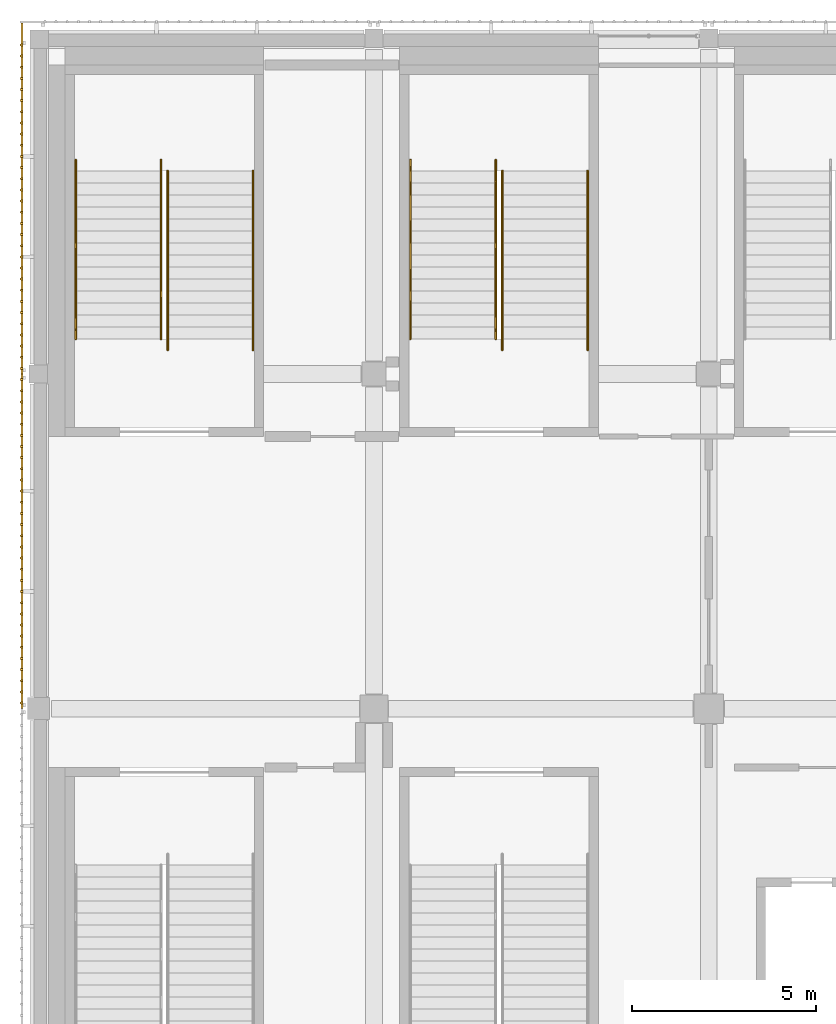
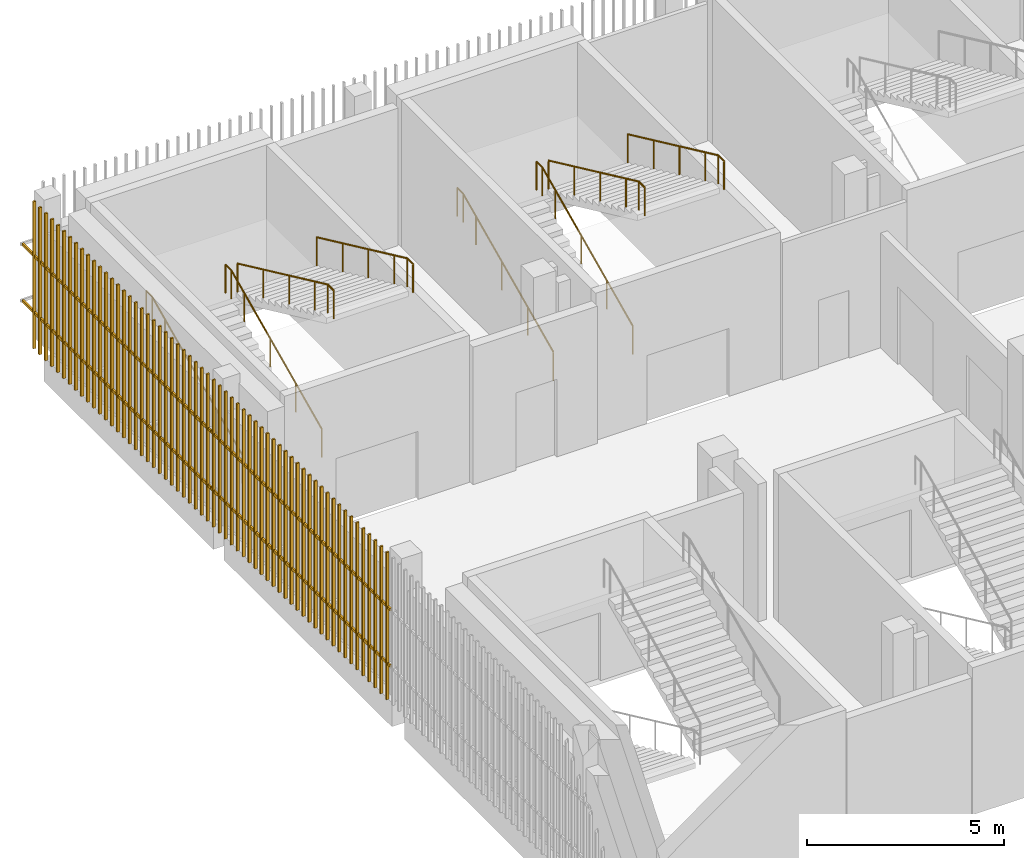
# One storey, part 94 of 104: 8 railings, 2 shading devices.
"""IFC4 building model written with IfcOpenShell, lengths in metres."""

from ifc_helpers import new_model, si_unit, direction, frame, origin, origin_2d, place, context, subcontext, project, spatial, rectangle, circle, extrude, material, type_object, element, save


model = new_model("IFC4")

# Units and contexts
model_context = context("Model", 3, precision=1e-05, world=origin(), true_north=direction((0.0, 1.0)))
body_context = subcontext(model_context, "Body", "Model", "MODEL_VIEW")
ifc_project = project(units=[si_unit("LENGTHUNIT", "METRE"), si_unit("AREAUNIT", "SQUARE_METRE"), si_unit("VOLUMEUNIT", "CUBIC_METRE"), si_unit("PLANEANGLEUNIT", "RADIAN"), si_unit("MASSUNIT", "GRAM", prefix="KILO")], contexts=[model_context])

# Site, building, storey
site_placement = place(None, origin())
site = spatial("IfcSite", under=ifc_project, at=site_placement, CompositionType="ELEMENT")
building_placement = place(site_placement, origin())
building = spatial("IfcBuilding", under=site, at=building_placement, Name="Shirokan Park Arena", CompositionType="ELEMENT")
storey_placement = place(building_placement, frame((0.0, 0.0, 10.919921875)))
storey = spatial("IfcBuildingStorey", under=building, at=storey_placement, Name="L02", CompositionType="ELEMENT", Elevation=10.919921875)

# Railings
ifc_material_1 = material(Name="Stainless steel", Category="steel")
railing_type = type_object("IfcRailingType", Name="Stair handrail 900", PredefinedType="HANDRAIL", material=ifc_material_1)
railing_1_placement = place(storey_placement, frame((0.989990234375, 101.050048828125, 0.15185546875)))
element("IfcRailing", 1, at=railing_1_placement, inside=storey, type_object=railing_type, Name="Handrail Exit Stair 4.A L02 to L03", PredefinedType="HANDRAIL", context=body_context, shape_type="SweptSolid", body=[
    extrude(circle(Radius=0.02392578125, at=origin_2d()), frame((0.0, 0.0, 0.8759765625), z_axis=(0.0, 0.907064445915, 0.420991794405), x_axis=(-1.0, 0.0, 0.0)), (0.0, 0.0, 1.0), 1.4404296875),
    extrude(circle(Radius=0.02392578125, at=origin_2d()), frame((0.0, 1.306640625, 1.482421875), z_axis=(0.0, 0.907029769225, 0.421066500378), x_axis=(-1.0, 0.0, 0.0)), (0.0, 0.0, 1.0), 1.44091796875),
    extrude(circle(Radius=0.02392578125, at=origin_2d()), frame((0.0, 2.613525390625, 2.0888671875), z_axis=(0.0, 0.907029769225, 0.421066500378), x_axis=(-1.0, 0.0, 0.0)), (0.0, 0.0, 1.0), 1.44091796875),
    extrude(circle(Radius=0.02392578125, at=origin_2d()), frame((0.0, 3.92041015625, 2.69580078125), z_axis=(0.0, 0.906934982928, 0.421270621741), x_axis=(-1.0, 0.0, 0.0)), (0.0, 0.0, 1.0), 0.720458984375),
    extrude(circle(Radius=0.02392578125, at=origin_2d()), frame((0.0, 4.57373046875, 2.9990234375), z_axis=(0.0, 1.0, 0.0), x_axis=(-1.0, 0.0, 0.0)), (0.0, 0.0, 1.0), 0.300048828125),
    extrude(circle(Radius=0.02099609375, at=origin_2d()), origin(), (0.0, 0.0, 1.0), 0.851806640625),
    extrude(circle(Radius=0.02099609375, at=origin_2d()), frame((0.0, 1.306640625, 0.6064453125)), (0.0, 0.0, 1.0), 0.851806640625),
    extrude(circle(Radius=0.02099609375, at=origin_2d()), frame((0.0, 2.613525390625, 1.213134765625)), (0.0, 0.0, 1.0), 0.851806640625),
    extrude(circle(Radius=0.02099609375, at=origin_2d()), frame((0.0, 3.92041015625, 1.81982421875)), (0.0, 0.0, 1.0), 0.851806640625),
    extrude(circle(Radius=0.02099609375, at=origin_2d()), frame((0.0, 4.57373046875, 2.123291015625)), (0.0, 0.0, 1.0), 0.851806640625),
    extrude(circle(Radius=0.02099609375, at=origin_2d()), frame((0.0, 4.873779296875, 2.123291015625)), (0.0, 0.0, 1.0), 0.851806640625),
])
railing_2_placement = place(storey_placement, frame((3.31005859375, 101.050048828125, 0.15185546875)))
element("IfcRailing", 2, at=railing_2_placement, inside=storey, type_object=railing_type, Name="Handrail Exit Stair 4.A L02 to L03", PredefinedType="HANDRAIL", context=body_context, shape_type="SweptSolid", body=[
    extrude(circle(Radius=0.02392578125, at=origin_2d()), frame((0.0, 0.0, 0.8759765625), z_axis=(0.0, 0.907064445915, 0.420991794405), x_axis=(-1.0, 0.0, 0.0)), (0.0, 0.0, 1.0), 1.4404296875),
    extrude(circle(Radius=0.02392578125, at=origin_2d()), frame((0.0, 1.306640625, 1.482421875), z_axis=(0.0, 0.907029769225, 0.421066500378), x_axis=(-1.0, 0.0, 0.0)), (0.0, 0.0, 1.0), 1.44091796875),
    extrude(circle(Radius=0.02392578125, at=origin_2d()), frame((0.0, 2.613525390625, 2.0888671875), z_axis=(0.0, 0.907029769225, 0.421066500378), x_axis=(-1.0, 0.0, 0.0)), (0.0, 0.0, 1.0), 1.44091796875),
    extrude(circle(Radius=0.02392578125, at=origin_2d()), frame((0.0, 3.92041015625, 2.69580078125), z_axis=(0.0, 0.906934982928, 0.421270621741), x_axis=(-1.0, 0.0, 0.0)), (0.0, 0.0, 1.0), 0.720458984375),
    extrude(circle(Radius=0.02392578125, at=origin_2d()), frame((0.0, 4.57373046875, 2.9990234375), z_axis=(0.0, 1.0, 0.0), x_axis=(-1.0, 0.0, 0.0)), (0.0, 0.0, 1.0), 0.300048828125),
    extrude(circle(Radius=0.02099609375, at=origin_2d()), origin(), (0.0, 0.0, 1.0), 0.851806640625),
    extrude(circle(Radius=0.02099609375, at=origin_2d()), frame((0.0, 1.306640625, 0.6064453125)), (0.0, 0.0, 1.0), 0.851806640625),
    extrude(circle(Radius=0.02099609375, at=origin_2d()), frame((0.0, 2.613525390625, 1.213134765625)), (0.0, 0.0, 1.0), 0.851806640625),
    extrude(circle(Radius=0.02099609375, at=origin_2d()), frame((0.0, 3.92041015625, 1.81982421875)), (0.0, 0.0, 1.0), 0.851806640625),
    extrude(circle(Radius=0.02099609375, at=origin_2d()), frame((0.0, 4.57373046875, 2.123291015625)), (0.0, 0.0, 1.0), 0.851806640625),
    extrude(circle(Radius=0.02099609375, at=origin_2d()), frame((0.0, 4.873779296875, 2.123291015625)), (0.0, 0.0, 1.0), 0.851806640625),
])
railing_3_placement = place(storey_placement, frame((3.489990234375, 105.623779296875, 2.4267578125)))
element("IfcRailing", 3, at=railing_3_placement, inside=storey, type_object=railing_type, Name="Handrail Exit Stair 4.A L02 to L03", PredefinedType="HANDRAIL", context=body_context, shape_type="SweptSolid", body=[
    extrude(circle(Radius=0.02392578125, at=origin_2d()), frame((0.0, 0.0, 0.8759765625), z_axis=(0.0, -0.907029769225, 0.421066500378), x_axis=(1.0, 0.0, 0.0)), (0.0, 0.0, 1.0), 1.44091796875),
    extrude(circle(Radius=0.02392578125, at=origin_2d()), frame((0.0, -1.306884765625, 1.482421875), z_axis=(0.0, -0.906999720516, 0.421131222998), x_axis=(1.0, 0.0, 0.0)), (0.0, 0.0, 1.0), 1.440673828125),
    extrude(circle(Radius=0.02392578125, at=origin_2d()), frame((0.0, -2.613525390625, 2.08935546875), z_axis=(0.0, -0.907029769225, 0.421066500378), x_axis=(1.0, 0.0, 0.0)), (0.0, 0.0, 1.0), 1.44091796875),
    extrude(circle(Radius=0.02392578125, at=origin_2d()), frame((0.0, -3.92041015625, 2.69580078125), z_axis=(0.0, -0.907064445915, 0.420991794405), x_axis=(1.0, 0.0, 0.0)), (0.0, 0.0, 1.0), 0.72021484375),
    extrude(circle(Radius=0.02392578125, at=origin_2d()), frame((0.0, -4.57373046875, 2.9990234375), z_axis=(0.0, -1.0, 0.0), x_axis=(1.0, 0.0, 0.0)), (0.0, 0.0, 1.0), 0.300048828125),
    extrude(circle(Radius=0.02099609375, at=origin_2d()), origin(), (0.0, 0.0, 1.0), 0.851806640625),
    extrude(circle(Radius=0.02099609375, at=origin_2d()), frame((0.0, -1.306884765625, 0.606689453125)), (0.0, 0.0, 1.0), 0.851806640625),
    extrude(circle(Radius=0.02099609375, at=origin_2d()), frame((0.0, -2.613525390625, 1.21337890625)), (0.0, 0.0, 1.0), 0.851806640625),
    extrude(circle(Radius=0.02099609375, at=origin_2d()), frame((0.0, -3.92041015625, 1.820068359375)), (0.0, 0.0, 1.0), 0.851806640625),
    extrude(circle(Radius=0.02099609375, at=origin_2d()), frame((0.0, -4.57373046875, 2.123291015625)), (0.0, 0.0, 1.0), 0.851806640625),
    extrude(circle(Radius=0.02099609375, at=origin_2d()), frame((0.0, -4.873779296875, 2.123291015625)), (0.0, 0.0, 1.0), 0.851806640625),
])
railing_4_placement = place(storey_placement, frame((5.81005859375, 105.623779296875, 2.4267578125)))
element("IfcRailing", 4, at=railing_4_placement, inside=storey, type_object=railing_type, Name="Handrail Exit Stair 4.A L02 to L03", PredefinedType="HANDRAIL", context=body_context, shape_type="SweptSolid", body=[
    extrude(circle(Radius=0.02392578125, at=origin_2d()), frame((0.0, 0.0, 0.8759765625), z_axis=(0.0, -0.907029769225, 0.421066500378), x_axis=(1.0, 0.0, 0.0)), (0.0, 0.0, 1.0), 1.44091796875),
    extrude(circle(Radius=0.02392578125, at=origin_2d()), frame((0.0, -1.306884765625, 1.482421875), z_axis=(0.0, -0.906999720516, 0.421131222998), x_axis=(1.0, 0.0, 0.0)), (0.0, 0.0, 1.0), 1.440673828125),
    extrude(circle(Radius=0.02392578125, at=origin_2d()), frame((0.0, -2.613525390625, 2.08935546875), z_axis=(0.0, -0.907029769225, 0.421066500378), x_axis=(1.0, 0.0, 0.0)), (0.0, 0.0, 1.0), 1.44091796875),
    extrude(circle(Radius=0.02392578125, at=origin_2d()), frame((0.0, -3.92041015625, 2.69580078125), z_axis=(0.0, -0.907064445915, 0.420991794405), x_axis=(1.0, 0.0, 0.0)), (0.0, 0.0, 1.0), 0.72021484375),
    extrude(circle(Radius=0.02392578125, at=origin_2d()), frame((0.0, -4.57373046875, 2.9990234375), z_axis=(0.0, -1.0, 0.0), x_axis=(1.0, 0.0, 0.0)), (0.0, 0.0, 1.0), 0.300048828125),
    extrude(circle(Radius=0.02099609375, at=origin_2d()), origin(), (0.0, 0.0, 1.0), 0.851806640625),
    extrude(circle(Radius=0.02099609375, at=origin_2d()), frame((0.0, -1.306884765625, 0.606689453125)), (0.0, 0.0, 1.0), 0.851806640625),
    extrude(circle(Radius=0.02099609375, at=origin_2d()), frame((0.0, -2.613525390625, 1.21337890625)), (0.0, 0.0, 1.0), 0.851806640625),
    extrude(circle(Radius=0.02099609375, at=origin_2d()), frame((0.0, -3.92041015625, 1.820068359375)), (0.0, 0.0, 1.0), 0.851806640625),
    extrude(circle(Radius=0.02099609375, at=origin_2d()), frame((0.0, -4.57373046875, 2.123291015625)), (0.0, 0.0, 1.0), 0.851806640625),
    extrude(circle(Radius=0.02099609375, at=origin_2d()), frame((0.0, -4.873779296875, 2.123291015625)), (0.0, 0.0, 1.0), 0.851806640625),
])
railing_5_placement = place(storey_placement, frame((10.090087890625, 101.050048828125, 0.15185546875)))
element("IfcRailing", 5, at=railing_5_placement, inside=storey, type_object=railing_type, Name="Handrail Exit Stair 4.B L02 to L03", PredefinedType="HANDRAIL", context=body_context, shape_type="SweptSolid", body=[
    extrude(circle(Radius=0.02392578125, at=origin_2d()), frame((0.0, 0.0, 0.8759765625), z_axis=(0.0, 0.907064445915, 0.420991794405), x_axis=(-1.0, 0.0, 0.0)), (0.0, 0.0, 1.0), 1.4404296875),
    extrude(circle(Radius=0.02392578125, at=origin_2d()), frame((0.0, 1.306640625, 1.482421875), z_axis=(0.0, 0.907029769225, 0.421066500378), x_axis=(-1.0, 0.0, 0.0)), (0.0, 0.0, 1.0), 1.44091796875),
    extrude(circle(Radius=0.02392578125, at=origin_2d()), frame((0.0, 2.613525390625, 2.0888671875), z_axis=(0.0, 0.907029769225, 0.421066500378), x_axis=(-1.0, 0.0, 0.0)), (0.0, 0.0, 1.0), 1.44091796875),
    extrude(circle(Radius=0.02392578125, at=origin_2d()), frame((0.0, 3.92041015625, 2.69580078125), z_axis=(0.0, 0.906934982928, 0.421270621741), x_axis=(-1.0, 0.0, 0.0)), (0.0, 0.0, 1.0), 0.720458984375),
    extrude(circle(Radius=0.02392578125, at=origin_2d()), frame((0.0, 4.57373046875, 2.9990234375), z_axis=(0.0, 1.0, 0.0), x_axis=(-1.0, 0.0, 0.0)), (0.0, 0.0, 1.0), 0.300048828125),
    extrude(circle(Radius=0.02099609375, at=origin_2d()), origin(), (0.0, 0.0, 1.0), 0.851806640625),
    extrude(circle(Radius=0.02099609375, at=origin_2d()), frame((0.0, 1.306640625, 0.6064453125)), (0.0, 0.0, 1.0), 0.851806640625),
    extrude(circle(Radius=0.02099609375, at=origin_2d()), frame((0.0, 2.613525390625, 1.213134765625)), (0.0, 0.0, 1.0), 0.851806640625),
    extrude(circle(Radius=0.02099609375, at=origin_2d()), frame((0.0, 3.92041015625, 1.81982421875)), (0.0, 0.0, 1.0), 0.851806640625),
    extrude(circle(Radius=0.02099609375, at=origin_2d()), frame((0.0, 4.57373046875, 2.123291015625)), (0.0, 0.0, 1.0), 0.851806640625),
    extrude(circle(Radius=0.02099609375, at=origin_2d()), frame((0.0, 4.873779296875, 2.123291015625)), (0.0, 0.0, 1.0), 0.851806640625),
])
railing_6_placement = place(storey_placement, frame((12.409912109375, 101.050048828125, 0.15185546875)))
element("IfcRailing", 6, at=railing_6_placement, inside=storey, type_object=railing_type, Name="Handrail Exit Stair 4.B L02 to L03", PredefinedType="HANDRAIL", context=body_context, shape_type="SweptSolid", body=[
    extrude(circle(Radius=0.02392578125, at=origin_2d()), frame((0.0, 0.0, 0.8759765625), z_axis=(0.0, 0.907064445915, 0.420991794405), x_axis=(-1.0, 0.0, 0.0)), (0.0, 0.0, 1.0), 1.4404296875),
    extrude(circle(Radius=0.02392578125, at=origin_2d()), frame((0.0, 1.306640625, 1.482421875), z_axis=(0.0, 0.907029769225, 0.421066500378), x_axis=(-1.0, 0.0, 0.0)), (0.0, 0.0, 1.0), 1.44091796875),
    extrude(circle(Radius=0.02392578125, at=origin_2d()), frame((0.0, 2.613525390625, 2.0888671875), z_axis=(0.0, 0.907029769225, 0.421066500378), x_axis=(-1.0, 0.0, 0.0)), (0.0, 0.0, 1.0), 1.44091796875),
    extrude(circle(Radius=0.02392578125, at=origin_2d()), frame((0.0, 3.92041015625, 2.69580078125), z_axis=(0.0, 0.906934982928, 0.421270621741), x_axis=(-1.0, 0.0, 0.0)), (0.0, 0.0, 1.0), 0.720458984375),
    extrude(circle(Radius=0.02392578125, at=origin_2d()), frame((0.0, 4.57373046875, 2.9990234375), z_axis=(0.0, 1.0, 0.0), x_axis=(-1.0, 0.0, 0.0)), (0.0, 0.0, 1.0), 0.300048828125),
    extrude(circle(Radius=0.02099609375, at=origin_2d()), origin(), (0.0, 0.0, 1.0), 0.851806640625),
    extrude(circle(Radius=0.02099609375, at=origin_2d()), frame((0.0, 1.306640625, 0.6064453125)), (0.0, 0.0, 1.0), 0.851806640625),
    extrude(circle(Radius=0.02099609375, at=origin_2d()), frame((0.0, 2.613525390625, 1.213134765625)), (0.0, 0.0, 1.0), 0.851806640625),
    extrude(circle(Radius=0.02099609375, at=origin_2d()), frame((0.0, 3.92041015625, 1.81982421875)), (0.0, 0.0, 1.0), 0.851806640625),
    extrude(circle(Radius=0.02099609375, at=origin_2d()), frame((0.0, 4.57373046875, 2.123291015625)), (0.0, 0.0, 1.0), 0.851806640625),
    extrude(circle(Radius=0.02099609375, at=origin_2d()), frame((0.0, 4.873779296875, 2.123291015625)), (0.0, 0.0, 1.0), 0.851806640625),
])
railing_7_placement = place(storey_placement, frame((12.590087890625, 105.623779296875, 2.4267578125)))
element("IfcRailing", 7, at=railing_7_placement, inside=storey, type_object=railing_type, Name="Handrail Exit Stair 4.B L02 to L03", PredefinedType="HANDRAIL", context=body_context, shape_type="SweptSolid", body=[
    extrude(circle(Radius=0.02392578125, at=origin_2d()), frame((0.0, 0.0, 0.8759765625), z_axis=(0.0, -0.907029769225, 0.421066500378), x_axis=(1.0, 0.0, 0.0)), (0.0, 0.0, 1.0), 1.44091796875),
    extrude(circle(Radius=0.02392578125, at=origin_2d()), frame((0.0, -1.306884765625, 1.482421875), z_axis=(0.0, -0.906999720516, 0.421131222998), x_axis=(1.0, 0.0, 0.0)), (0.0, 0.0, 1.0), 1.440673828125),
    extrude(circle(Radius=0.02392578125, at=origin_2d()), frame((0.0, -2.613525390625, 2.08935546875), z_axis=(0.0, -0.907029769225, 0.421066500378), x_axis=(1.0, 0.0, 0.0)), (0.0, 0.0, 1.0), 1.44091796875),
    extrude(circle(Radius=0.02392578125, at=origin_2d()), frame((0.0, -3.92041015625, 2.69580078125), z_axis=(0.0, -0.907064445915, 0.420991794405), x_axis=(1.0, 0.0, 0.0)), (0.0, 0.0, 1.0), 0.72021484375),
    extrude(circle(Radius=0.02392578125, at=origin_2d()), frame((0.0, -4.57373046875, 2.9990234375), z_axis=(0.0, -1.0, 0.0), x_axis=(1.0, 0.0, 0.0)), (0.0, 0.0, 1.0), 0.300048828125),
    extrude(circle(Radius=0.02099609375, at=origin_2d()), origin(), (0.0, 0.0, 1.0), 0.851806640625),
    extrude(circle(Radius=0.02099609375, at=origin_2d()), frame((0.0, -1.306884765625, 0.606689453125)), (0.0, 0.0, 1.0), 0.851806640625),
    extrude(circle(Radius=0.02099609375, at=origin_2d()), frame((0.0, -2.613525390625, 1.21337890625)), (0.0, 0.0, 1.0), 0.851806640625),
    extrude(circle(Radius=0.02099609375, at=origin_2d()), frame((0.0, -3.92041015625, 1.820068359375)), (0.0, 0.0, 1.0), 0.851806640625),
    extrude(circle(Radius=0.02099609375, at=origin_2d()), frame((0.0, -4.57373046875, 2.123291015625)), (0.0, 0.0, 1.0), 0.851806640625),
    extrude(circle(Radius=0.02099609375, at=origin_2d()), frame((0.0, -4.873779296875, 2.123291015625)), (0.0, 0.0, 1.0), 0.851806640625),
])
railing_8_placement = place(storey_placement, frame((14.909912109375, 105.623779296875, 2.4267578125)))
element("IfcRailing", 8, at=railing_8_placement, inside=storey, type_object=railing_type, Name="Handrail Exit Stair 4.B L02 to L03", PredefinedType="HANDRAIL", context=body_context, shape_type="SweptSolid", body=[
    extrude(circle(Radius=0.02392578125, at=origin_2d()), frame((0.0, 0.0, 0.8759765625), z_axis=(0.0, -0.907029769225, 0.421066500378), x_axis=(1.0, 0.0, 0.0)), (0.0, 0.0, 1.0), 1.44091796875),
    extrude(circle(Radius=0.02392578125, at=origin_2d()), frame((0.0, -1.306884765625, 1.482421875), z_axis=(0.0, -0.906999720516, 0.421131222998), x_axis=(1.0, 0.0, 0.0)), (0.0, 0.0, 1.0), 1.440673828125),
    extrude(circle(Radius=0.02392578125, at=origin_2d()), frame((0.0, -2.613525390625, 2.08935546875), z_axis=(0.0, -0.907029769225, 0.421066500378), x_axis=(1.0, 0.0, 0.0)), (0.0, 0.0, 1.0), 1.44091796875),
    extrude(circle(Radius=0.02392578125, at=origin_2d()), frame((0.0, -3.92041015625, 2.69580078125), z_axis=(0.0, -0.907064445915, 0.420991794405), x_axis=(1.0, 0.0, 0.0)), (0.0, 0.0, 1.0), 0.72021484375),
    extrude(circle(Radius=0.02392578125, at=origin_2d()), frame((0.0, -4.57373046875, 2.9990234375), z_axis=(0.0, -1.0, 0.0), x_axis=(1.0, 0.0, 0.0)), (0.0, 0.0, 1.0), 0.300048828125),
    extrude(circle(Radius=0.02099609375, at=origin_2d()), origin(), (0.0, 0.0, 1.0), 0.851806640625),
    extrude(circle(Radius=0.02099609375, at=origin_2d()), frame((0.0, -1.306884765625, 0.606689453125)), (0.0, 0.0, 1.0), 0.851806640625),
    extrude(circle(Radius=0.02099609375, at=origin_2d()), frame((0.0, -2.613525390625, 1.21337890625)), (0.0, 0.0, 1.0), 0.851806640625),
    extrude(circle(Radius=0.02099609375, at=origin_2d()), frame((0.0, -3.92041015625, 1.820068359375)), (0.0, 0.0, 1.0), 0.851806640625),
    extrude(circle(Radius=0.02099609375, at=origin_2d()), frame((0.0, -4.57373046875, 2.123291015625)), (0.0, 0.0, 1.0), 0.851806640625),
    extrude(circle(Radius=0.02099609375, at=origin_2d()), frame((0.0, -4.873779296875, 2.123291015625)), (0.0, 0.0, 1.0), 0.851806640625),
])

# Shading devices
ifc_material_2 = material(Name="Timber louvre veil (cedar)", Category="wood")
shading_device_type = type_object("IfcShadingDeviceType", Name="Timber louvre veil panel", PredefinedType="JALOUSIE", material=ifc_material_2)
shading_device_1_placement = place(storey_placement, origin())
element("IfcShadingDevice", 9, at=shading_device_1_placement, inside=storey, type_object=shading_device_type, Name="Timber louvre veil west bay 1 L02", PredefinedType="JALOUSIE", context=body_context, shape_type="SweptSolid", body=[
    extrude(rectangle(XDim=0.050048828125, YDim=0.080078125, at=origin_2d()), frame((-0.485107421875, 109.04833984375, 0.0), z_axis=(0.0, 0.0, 1.0), x_axis=(0.0, -1.0, 0.0)), (0.0, 0.0, 1.0), 4.550048828125),
    extrude(rectangle(XDim=0.050048828125, YDim=0.080078125, at=origin_2d()), frame((-0.485107421875, 108.7451171875, 0.0), z_axis=(0.0, 0.0, 1.0), x_axis=(0.0, -1.0, 0.0)), (0.0, 0.0, 1.0), 4.550048828125),
    extrude(rectangle(XDim=0.050048828125, YDim=0.080078125, at=origin_2d()), frame((-0.485107421875, 108.441650390625, 0.0), z_axis=(0.0, 0.0, 1.0), x_axis=(0.0, -1.0, 0.0)), (0.0, 0.0, 1.0), 4.550048828125),
    extrude(rectangle(XDim=0.050048828125, YDim=0.080078125, at=origin_2d()), frame((-0.485107421875, 108.138427734375, 0.0), z_axis=(0.0, 0.0, 1.0), x_axis=(0.0, -1.0, 0.0)), (0.0, 0.0, 1.0), 4.550048828125),
    extrude(rectangle(XDim=0.050048828125, YDim=0.080078125, at=origin_2d()), frame((-0.485107421875, 107.8349609375, 0.0), z_axis=(0.0, 0.0, 1.0), x_axis=(0.0, -1.0, 0.0)), (0.0, 0.0, 1.0), 4.550048828125),
    extrude(rectangle(XDim=0.050048828125, YDim=0.080078125, at=origin_2d()), frame((-0.485107421875, 107.53173828125, 0.0), z_axis=(0.0, 0.0, 1.0), x_axis=(0.0, -1.0, 0.0)), (0.0, 0.0, 1.0), 4.550048828125),
    extrude(rectangle(XDim=0.050048828125, YDim=0.080078125, at=origin_2d()), frame((-0.485107421875, 107.228271484375, 0.0), z_axis=(0.0, 0.0, 1.0), x_axis=(0.0, -1.0, 0.0)), (0.0, 0.0, 1.0), 4.550048828125),
    extrude(rectangle(XDim=0.050048828125, YDim=0.080078125, at=origin_2d()), frame((-0.485107421875, 106.925048828125, 0.0), z_axis=(0.0, 0.0, 1.0), x_axis=(0.0, -1.0, 0.0)), (0.0, 0.0, 1.0), 4.550048828125),
    extrude(rectangle(XDim=0.050048828125, YDim=0.080078125, at=origin_2d()), frame((-0.485107421875, 106.62158203125, 0.0), z_axis=(0.0, 0.0, 1.0), x_axis=(0.0, -1.0, 0.0)), (0.0, 0.0, 1.0), 4.550048828125),
    extrude(rectangle(XDim=0.050048828125, YDim=0.080078125, at=origin_2d()), frame((-0.485107421875, 106.318359375, 0.0), z_axis=(0.0, 0.0, 1.0), x_axis=(0.0, -1.0, 0.0)), (0.0, 0.0, 1.0), 4.550048828125),
    extrude(rectangle(XDim=0.050048828125, YDim=0.080078125, at=origin_2d()), frame((-0.485107421875, 106.014892578125, 0.0), z_axis=(0.0, 0.0, 1.0), x_axis=(0.0, -1.0, 0.0)), (0.0, 0.0, 1.0), 4.550048828125),
    extrude(rectangle(XDim=0.050048828125, YDim=0.080078125, at=origin_2d()), frame((-0.485107421875, 105.711669921875, 0.0), z_axis=(0.0, 0.0, 1.0), x_axis=(0.0, -1.0, 0.0)), (0.0, 0.0, 1.0), 4.550048828125),
    extrude(rectangle(XDim=0.050048828125, YDim=0.080078125, at=origin_2d()), frame((-0.485107421875, 105.408447265625, 0.0), z_axis=(0.0, 0.0, 1.0), x_axis=(0.0, -1.0, 0.0)), (0.0, 0.0, 1.0), 4.550048828125),
    extrude(rectangle(XDim=0.050048828125, YDim=0.080078125, at=origin_2d()), frame((-0.485107421875, 105.10498046875, 0.0), z_axis=(0.0, 0.0, 1.0), x_axis=(0.0, -1.0, 0.0)), (0.0, 0.0, 1.0), 4.550048828125),
    extrude(rectangle(XDim=0.050048828125, YDim=0.080078125, at=origin_2d()), frame((-0.485107421875, 104.8017578125, 0.0), z_axis=(0.0, 0.0, 1.0), x_axis=(0.0, -1.0, 0.0)), (0.0, 0.0, 1.0), 4.550048828125),
    extrude(rectangle(XDim=0.050048828125, YDim=0.080078125, at=origin_2d()), frame((-0.485107421875, 104.498291015625, 0.0), z_axis=(0.0, 0.0, 1.0), x_axis=(0.0, -1.0, 0.0)), (0.0, 0.0, 1.0), 4.550048828125),
    extrude(rectangle(XDim=0.050048828125, YDim=0.080078125, at=origin_2d()), frame((-0.485107421875, 104.195068359375, 0.0), z_axis=(0.0, 0.0, 1.0), x_axis=(0.0, -1.0, 0.0)), (0.0, 0.0, 1.0), 4.550048828125),
    extrude(rectangle(XDim=0.050048828125, YDim=0.080078125, at=origin_2d()), frame((-0.485107421875, 103.8916015625, 0.0), z_axis=(0.0, 0.0, 1.0), x_axis=(0.0, -1.0, 0.0)), (0.0, 0.0, 1.0), 4.550048828125),
    extrude(rectangle(XDim=0.050048828125, YDim=0.080078125, at=origin_2d()), frame((-0.485107421875, 103.58837890625, 0.0), z_axis=(0.0, 0.0, 1.0), x_axis=(0.0, -1.0, 0.0)), (0.0, 0.0, 1.0), 4.550048828125),
    extrude(rectangle(XDim=0.050048828125, YDim=0.080078125, at=origin_2d()), frame((-0.485107421875, 103.284912109375, 0.0), z_axis=(0.0, 0.0, 1.0), x_axis=(0.0, -1.0, 0.0)), (0.0, 0.0, 1.0), 4.550048828125),
    extrude(rectangle(XDim=0.050048828125, YDim=0.080078125, at=origin_2d()), frame((-0.485107421875, 102.981689453125, 0.0), z_axis=(0.0, 0.0, 1.0), x_axis=(0.0, -1.0, 0.0)), (0.0, 0.0, 1.0), 4.550048828125),
    extrude(rectangle(XDim=0.050048828125, YDim=0.080078125, at=origin_2d()), frame((-0.485107421875, 102.67822265625, 0.0), z_axis=(0.0, 0.0, 1.0), x_axis=(0.0, -1.0, 0.0)), (0.0, 0.0, 1.0), 4.550048828125),
    extrude(rectangle(XDim=0.050048828125, YDim=0.080078125, at=origin_2d()), frame((-0.485107421875, 102.375, 0.0), z_axis=(0.0, 0.0, 1.0), x_axis=(0.0, -1.0, 0.0)), (0.0, 0.0, 1.0), 4.550048828125),
    extrude(rectangle(XDim=0.050048828125, YDim=0.080078125, at=origin_2d()), frame((-0.485107421875, 102.07177734375, 0.0), z_axis=(0.0, 0.0, 1.0), x_axis=(0.0, -1.0, 0.0)), (0.0, 0.0, 1.0), 4.550048828125),
    extrude(rectangle(XDim=0.050048828125, YDim=0.080078125, at=origin_2d()), frame((-0.485107421875, 101.768310546875, 0.0), z_axis=(0.0, 0.0, 1.0), x_axis=(0.0, -1.0, 0.0)), (0.0, 0.0, 1.0), 4.550048828125),
    extrude(rectangle(XDim=0.050048828125, YDim=0.080078125, at=origin_2d()), frame((-0.485107421875, 101.465087890625, 0.0), z_axis=(0.0, 0.0, 1.0), x_axis=(0.0, -1.0, 0.0)), (0.0, 0.0, 1.0), 4.550048828125),
    extrude(rectangle(XDim=0.050048828125, YDim=0.080078125, at=origin_2d()), frame((-0.485107421875, 101.16162109375, 0.0), z_axis=(0.0, 0.0, 1.0), x_axis=(0.0, -1.0, 0.0)), (0.0, 0.0, 1.0), 4.550048828125),
    extrude(rectangle(XDim=0.050048828125, YDim=0.080078125, at=origin_2d()), frame((-0.485107421875, 100.8583984375, 0.0), z_axis=(0.0, 0.0, 1.0), x_axis=(0.0, -1.0, 0.0)), (0.0, 0.0, 1.0), 4.550048828125),
    extrude(rectangle(XDim=0.050048828125, YDim=0.080078125, at=origin_2d()), frame((-0.485107421875, 100.554931640625, 0.0), z_axis=(0.0, 0.0, 1.0), x_axis=(0.0, -1.0, 0.0)), (0.0, 0.0, 1.0), 4.550048828125),
    extrude(rectangle(XDim=0.050048828125, YDim=0.080078125, at=origin_2d()), frame((-0.485107421875, 100.251708984375, 0.0), z_axis=(0.0, 0.0, 1.0), x_axis=(0.0, -1.0, 0.0)), (0.0, 0.0, 1.0), 4.550048828125),
    extrude(rectangle(XDim=9.544921875, YDim=0.050048828125, at=origin_2d()), frame((-0.469970703125, 104.87255859375, 1.06005859375), z_axis=(0.0, 0.0, 1.0), x_axis=(0.0, -1.0, 0.0)), (0.0, 0.0, 1.0), 0.080078125),
    extrude(rectangle(XDim=9.544921875, YDim=0.050048828125, at=origin_2d()), frame((-0.469970703125, 104.87255859375, 2.81005859375), z_axis=(0.0, 0.0, 1.0), x_axis=(0.0, -1.0, 0.0)), (0.0, 0.0, 1.0), 0.080078125),
])
shading_device_2_placement = place(storey_placement, origin())
element("IfcShadingDevice", 10, at=shading_device_2_placement, inside=storey, type_object=shading_device_type, Name="Timber louvre veil west bay 2 L02", PredefinedType="JALOUSIE", context=body_context, shape_type="SweptSolid", body=[
    extrude(rectangle(XDim=0.050048828125, YDim=0.080078125, at=origin_2d()), frame((-0.485107421875, 99.9482421875, 0.0), z_axis=(0.0, 0.0, 1.0), x_axis=(0.0, -1.0, 0.0)), (0.0, 0.0, 1.0), 4.550048828125),
    extrude(rectangle(XDim=0.050048828125, YDim=0.080078125, at=origin_2d()), frame((-0.485107421875, 99.64501953125, 0.0), z_axis=(0.0, 0.0, 1.0), x_axis=(0.0, -1.0, 0.0)), (0.0, 0.0, 1.0), 4.550048828125),
    extrude(rectangle(XDim=0.050048828125, YDim=0.080078125, at=origin_2d()), frame((-0.485107421875, 99.341552734375, 0.0), z_axis=(0.0, 0.0, 1.0), x_axis=(0.0, -1.0, 0.0)), (0.0, 0.0, 1.0), 4.550048828125),
    extrude(rectangle(XDim=0.050048828125, YDim=0.080078125, at=origin_2d()), frame((-0.485107421875, 99.038330078125, 0.0), z_axis=(0.0, 0.0, 1.0), x_axis=(0.0, -1.0, 0.0)), (0.0, 0.0, 1.0), 4.550048828125),
    extrude(rectangle(XDim=0.050048828125, YDim=0.080078125, at=origin_2d()), frame((-0.485107421875, 98.735107421875, 0.0), z_axis=(0.0, 0.0, 1.0), x_axis=(0.0, -1.0, 0.0)), (0.0, 0.0, 1.0), 4.550048828125),
    extrude(rectangle(XDim=0.050048828125, YDim=0.080078125, at=origin_2d()), frame((-0.485107421875, 98.431640625, 0.0), z_axis=(0.0, 0.0, 1.0), x_axis=(0.0, -1.0, 0.0)), (0.0, 0.0, 1.0), 4.550048828125),
    extrude(rectangle(XDim=0.050048828125, YDim=0.080078125, at=origin_2d()), frame((-0.485107421875, 98.12841796875, 0.0), z_axis=(0.0, 0.0, 1.0), x_axis=(0.0, -1.0, 0.0)), (0.0, 0.0, 1.0), 4.550048828125),
    extrude(rectangle(XDim=0.050048828125, YDim=0.080078125, at=origin_2d()), frame((-0.485107421875, 97.824951171875, 0.0), z_axis=(0.0, 0.0, 1.0), x_axis=(0.0, -1.0, 0.0)), (0.0, 0.0, 1.0), 4.550048828125),
    extrude(rectangle(XDim=0.050048828125, YDim=0.080078125, at=origin_2d()), frame((-0.485107421875, 97.521728515625, 0.0), z_axis=(0.0, 0.0, 1.0), x_axis=(0.0, -1.0, 0.0)), (0.0, 0.0, 1.0), 4.550048828125),
    extrude(rectangle(XDim=0.050048828125, YDim=0.080078125, at=origin_2d()), frame((-0.485107421875, 97.21826171875, 0.0), z_axis=(0.0, 0.0, 1.0), x_axis=(0.0, -1.0, 0.0)), (0.0, 0.0, 1.0), 4.550048828125),
    extrude(rectangle(XDim=0.050048828125, YDim=0.080078125, at=origin_2d()), frame((-0.485107421875, 96.9150390625, 0.0), z_axis=(0.0, 0.0, 1.0), x_axis=(0.0, -1.0, 0.0)), (0.0, 0.0, 1.0), 4.550048828125),
    extrude(rectangle(XDim=0.050048828125, YDim=0.080078125, at=origin_2d()), frame((-0.485107421875, 96.611572265625, 0.0), z_axis=(0.0, 0.0, 1.0), x_axis=(0.0, -1.0, 0.0)), (0.0, 0.0, 1.0), 4.550048828125),
    extrude(rectangle(XDim=0.050048828125, YDim=0.080078125, at=origin_2d()), frame((-0.485107421875, 96.308349609375, 0.0), z_axis=(0.0, 0.0, 1.0), x_axis=(0.0, -1.0, 0.0)), (0.0, 0.0, 1.0), 4.550048828125),
    extrude(rectangle(XDim=0.050048828125, YDim=0.080078125, at=origin_2d()), frame((-0.485107421875, 96.0048828125, 0.0), z_axis=(0.0, 0.0, 1.0), x_axis=(0.0, -1.0, 0.0)), (0.0, 0.0, 1.0), 4.550048828125),
    extrude(rectangle(XDim=0.050048828125, YDim=0.080078125, at=origin_2d()), frame((-0.485107421875, 95.70166015625, 0.0), z_axis=(0.0, 0.0, 1.0), x_axis=(0.0, -1.0, 0.0)), (0.0, 0.0, 1.0), 4.550048828125),
    extrude(rectangle(XDim=0.050048828125, YDim=0.080078125, at=origin_2d()), frame((-0.485107421875, 95.3984375, 0.0), z_axis=(0.0, 0.0, 1.0), x_axis=(0.0, -1.0, 0.0)), (0.0, 0.0, 1.0), 4.550048828125),
    extrude(rectangle(XDim=0.050048828125, YDim=0.080078125, at=origin_2d()), frame((-0.485107421875, 95.094970703125, 0.0), z_axis=(0.0, 0.0, 1.0), x_axis=(0.0, -1.0, 0.0)), (0.0, 0.0, 1.0), 4.550048828125),
    extrude(rectangle(XDim=0.050048828125, YDim=0.080078125, at=origin_2d()), frame((-0.485107421875, 94.791748046875, 0.0), z_axis=(0.0, 0.0, 1.0), x_axis=(0.0, -1.0, 0.0)), (0.0, 0.0, 1.0), 4.550048828125),
    extrude(rectangle(XDim=0.050048828125, YDim=0.080078125, at=origin_2d()), frame((-0.485107421875, 94.48828125, 0.0), z_axis=(0.0, 0.0, 1.0), x_axis=(0.0, -1.0, 0.0)), (0.0, 0.0, 1.0), 4.550048828125),
    extrude(rectangle(XDim=0.050048828125, YDim=0.080078125, at=origin_2d()), frame((-0.485107421875, 94.18505859375, 0.0), z_axis=(0.0, 0.0, 1.0), x_axis=(0.0, -1.0, 0.0)), (0.0, 0.0, 1.0), 4.550048828125),
    extrude(rectangle(XDim=0.050048828125, YDim=0.080078125, at=origin_2d()), frame((-0.485107421875, 93.881591796875, 0.0), z_axis=(0.0, 0.0, 1.0), x_axis=(0.0, -1.0, 0.0)), (0.0, 0.0, 1.0), 4.550048828125),
    extrude(rectangle(XDim=0.050048828125, YDim=0.080078125, at=origin_2d()), frame((-0.485107421875, 93.578369140625, 0.0), z_axis=(0.0, 0.0, 1.0), x_axis=(0.0, -1.0, 0.0)), (0.0, 0.0, 1.0), 4.550048828125),
    extrude(rectangle(XDim=0.050048828125, YDim=0.080078125, at=origin_2d()), frame((-0.485107421875, 93.27490234375, 0.0), z_axis=(0.0, 0.0, 1.0), x_axis=(0.0, -1.0, 0.0)), (0.0, 0.0, 1.0), 4.550048828125),
    extrude(rectangle(XDim=0.050048828125, YDim=0.080078125, at=origin_2d()), frame((-0.485107421875, 92.9716796875, 0.0), z_axis=(0.0, 0.0, 1.0), x_axis=(0.0, -1.0, 0.0)), (0.0, 0.0, 1.0), 4.550048828125),
    extrude(rectangle(XDim=0.050048828125, YDim=0.080078125, at=origin_2d()), frame((-0.485107421875, 92.668212890625, 0.0), z_axis=(0.0, 0.0, 1.0), x_axis=(0.0, -1.0, 0.0)), (0.0, 0.0, 1.0), 4.550048828125),
    extrude(rectangle(XDim=0.050048828125, YDim=0.080078125, at=origin_2d()), frame((-0.485107421875, 92.364990234375, 0.0), z_axis=(0.0, 0.0, 1.0), x_axis=(0.0, -1.0, 0.0)), (0.0, 0.0, 1.0), 4.550048828125),
    extrude(rectangle(XDim=0.050048828125, YDim=0.080078125, at=origin_2d()), frame((-0.485107421875, 92.061767578125, 0.0), z_axis=(0.0, 0.0, 1.0), x_axis=(0.0, -1.0, 0.0)), (0.0, 0.0, 1.0), 4.550048828125),
    extrude(rectangle(XDim=0.050048828125, YDim=0.080078125, at=origin_2d()), frame((-0.485107421875, 91.75830078125, 0.0), z_axis=(0.0, 0.0, 1.0), x_axis=(0.0, -1.0, 0.0)), (0.0, 0.0, 1.0), 4.550048828125),
    extrude(rectangle(XDim=0.050048828125, YDim=0.080078125, at=origin_2d()), frame((-0.485107421875, 91.455078125, 0.0), z_axis=(0.0, 0.0, 1.0), x_axis=(0.0, -1.0, 0.0)), (0.0, 0.0, 1.0), 4.550048828125),
    extrude(rectangle(XDim=0.050048828125, YDim=0.080078125, at=origin_2d()), frame((-0.485107421875, 91.151611328125, 0.0), z_axis=(0.0, 0.0, 1.0), x_axis=(0.0, -1.0, 0.0)), (0.0, 0.0, 1.0), 4.550048828125),
    extrude(rectangle(XDim=9.10009765625, YDim=0.050048828125, at=origin_2d()), frame((-0.469970703125, 95.550048828125, 1.06005859375), z_axis=(0.0, 0.0, 1.0), x_axis=(0.0, -1.0, 0.0)), (0.0, 0.0, 1.0), 0.080078125),
    extrude(rectangle(XDim=9.10009765625, YDim=0.050048828125, at=origin_2d()), frame((-0.469970703125, 95.550048828125, 2.81005859375), z_axis=(0.0, 0.0, 1.0), x_axis=(0.0, -1.0, 0.0)), (0.0, 0.0, 1.0), 0.080078125),
])

save(model, "model.ifc")
